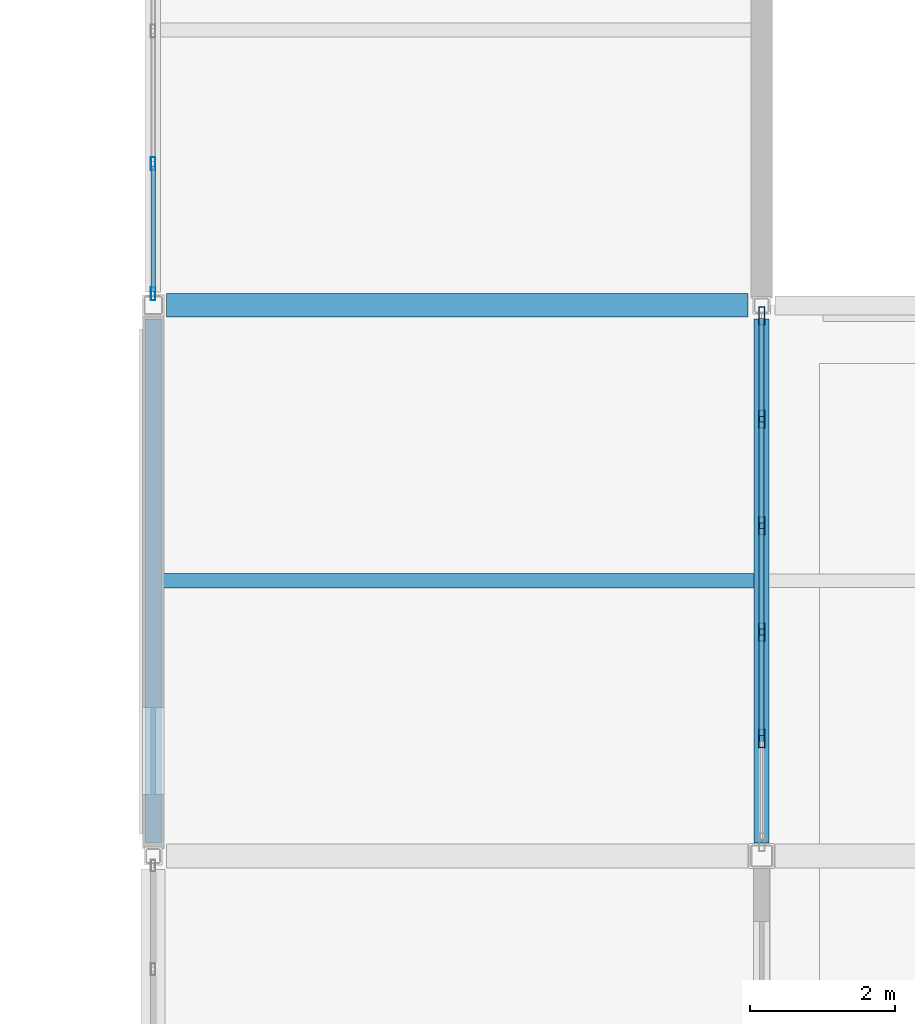
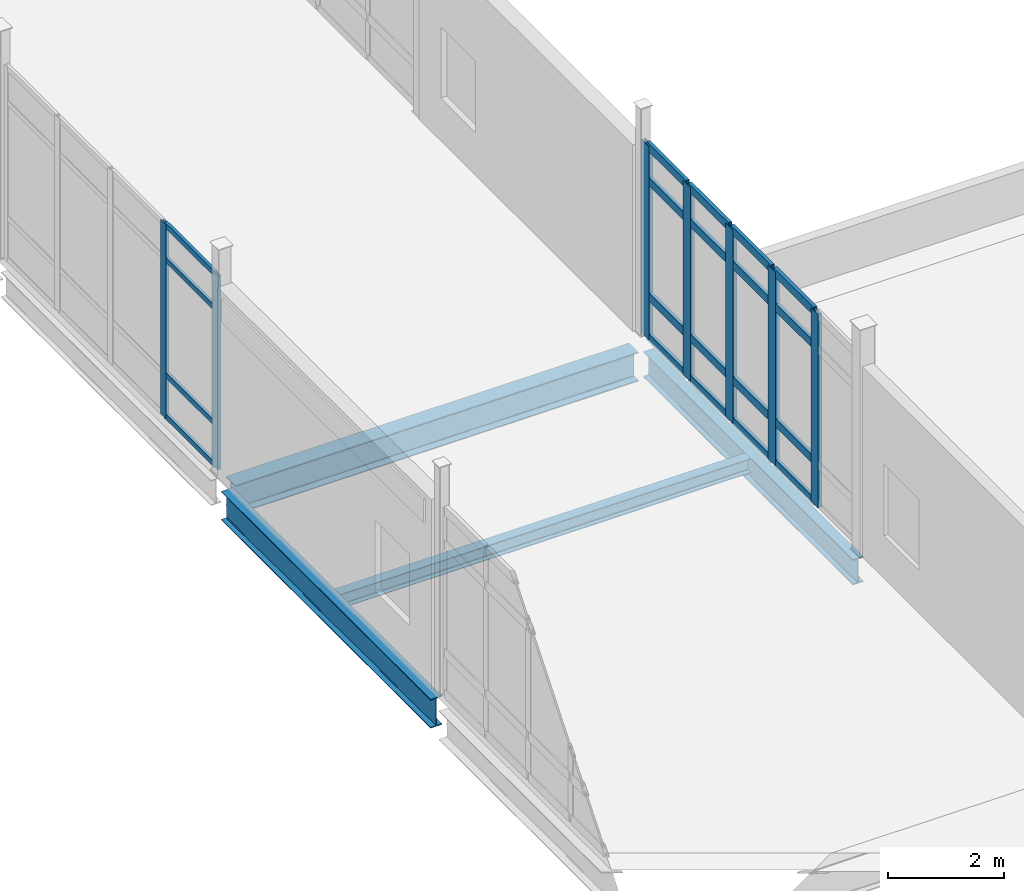
# One storey, part 33 of 153: 27 members, 4 beams, 2 elements without a shape of their own.
"""IFC4 building model written with IfcOpenShell, lengths in metres."""

from ifc_helpers import new_model, si_unit, direction, frame, origin, origin_2d, place, context, subcontext, project, spatial, hollow_rectangle, i_section, extrude, material, layer, layer_set, material_profile, profile_set, type_object, element, aggregate, save


model = new_model("IFC4")

# Units and contexts
model_context = context("Model", 3, precision=1e-05, world=origin(), true_north=direction((0.0, 1.0)))
body_context = subcontext(model_context, "Body", "Model", "MODEL_VIEW")
ifc_project = project(units=[si_unit("LENGTHUNIT", "METRE"), si_unit("AREAUNIT", "SQUARE_METRE"), si_unit("VOLUMEUNIT", "CUBIC_METRE"), si_unit("PLANEANGLEUNIT", "RADIAN"), si_unit("MASSUNIT", "GRAM", prefix="KILO")], contexts=[model_context])

# Site, building, storey
site_placement = place(None, origin())
site = spatial("IfcSite", under=ifc_project, at=site_placement, CompositionType="ELEMENT")
building_placement = place(site_placement, origin())
building = spatial("IfcBuilding", under=site, at=building_placement, Name="Calvrana Isthmian Art Gallery", CompositionType="ELEMENT")
storey_placement = place(building_placement, frame((0.0, 0.0, 10.199951171875)))
storey = spatial("IfcBuildingStorey", under=building, at=storey_placement, Name="L02", CompositionType="ELEMENT", Elevation=10.199951171875)

# Beams
ifc_material_1 = material(Name="Steel ASTM A992 Gr 50", Category="steel")
ifc_material_profile_1 = material_profile(ifc_material_1, i_section(OverallWidth=0.208984375, OverallDepth=0.532958984375, WebThickness=0.01025390625, FlangeThickness=0.015625, FilletRadius=0.02099609375, at=origin_2d()), Name="W21X62")
ifc_profile_set_1 = profile_set([ifc_material_profile_1], Name="Steel ASTM A992 Gr 50")
beam_type_1 = type_object("IfcBeamType", Name="BM-G-W21X62", PredefinedType="BEAM", material=ifc_profile_set_1)
beam_1_placement = place(storey_placement, frame((63.60009765625, 54.58154296875, -0.531494140625), z_axis=(0.0, 1.0, 0.0), x_axis=(-1.0, 0.0, 0.0)))
element("IfcBeam", 1, at=beam_1_placement, inside=storey, type_object=beam_type_1, Name="Girder Y L02 09/H-I", PredefinedType="BEAM", context=body_context, shape_type="SweptSolid", body=[
    extrude(i_section(OverallWidth=0.208984375, OverallDepth=0.532958984375, WebThickness=0.01025390625, FlangeThickness=0.015625, FilletRadius=0.02099609375, at=origin_2d()), origin(), (0.0, 0.0, 1.0), 7.234375),
])
ifc_material_profile_2 = material_profile(ifc_material_1, i_section(OverallWidth=0.324951171875, OverallDepth=0.612060546875, WebThickness=0.0126953125, FlangeThickness=0.01904296875, FilletRadius=0.02197265625, at=origin_2d()), Name="W24X104")
ifc_profile_set_2 = profile_set([ifc_material_profile_2], Name="Steel ASTM A992 Gr 50")
beam_type_2 = type_object("IfcBeamType", Name="BM-G-W24X104", PredefinedType="BEAM", material=ifc_profile_set_2)
beam_2_placement = place(storey_placement, frame((55.386474609375, 62.0, -0.571044921875), z_axis=(1.0, 0.0, 0.0), x_axis=(0.0, 1.0, 0.0)))
element("IfcBeam", 2, at=beam_2_placement, inside=storey, type_object=beam_type_2, Name="Girder X L02 08-09/I", PredefinedType="BEAM", context=body_context, shape_type="SweptSolid", body=[
    extrude(i_section(OverallWidth=0.324951171875, OverallDepth=0.612060546875, WebThickness=0.0126953125, FlangeThickness=0.01904296875, FilletRadius=0.02197265625, at=origin_2d()), origin(), (0.0, 0.0, 1.0), 8.027099609375),
])
ifc_material_profile_3 = material_profile(ifc_material_1, i_section(OverallWidth=0.22802734375, OverallDepth=0.60693359375, WebThickness=0.01123046875, FlangeThickness=0.017333984375, FilletRadius=0.02197265625, at=origin_2d()), Name="W24X76")
ifc_profile_set_3 = profile_set([ifc_material_profile_3], Name="Steel ASTM A992 Gr 50")
beam_type_3 = type_object("IfcBeamType", Name="BM-G-W24X76", PredefinedType="BEAM", material=ifc_profile_set_3)
beam_3_placement = place(storey_placement, frame((55.199951171875, 54.583984375, -0.568359375), z_axis=(0.0, 1.0, 0.0), x_axis=(-1.0, 0.0, 0.0)))
element("IfcBeam", 3, at=beam_3_placement, inside=storey, type_object=beam_type_3, Name="Girder Y L02 08/H-I", PredefinedType="BEAM", context=body_context, shape_type="SweptSolid", body=[
    extrude(i_section(OverallWidth=0.22802734375, OverallDepth=0.60693359375, WebThickness=0.01123046875, FlangeThickness=0.017333984375, FilletRadius=0.02197265625, at=origin_2d()), origin(), (0.0, 0.0, 1.0), 7.2294921875),
])
ifc_material_profile_4 = material_profile(ifc_material_1, i_section(OverallWidth=0.202880859375, OverallDepth=0.302001953125, WebThickness=0.007568359375, FlangeThickness=0.01318359375, FilletRadius=0.01611328125, at=origin_2d()), Name="W12X40")
ifc_profile_set_4 = profile_set([ifc_material_profile_4], Name="Steel ASTM A992 Gr 50")
beam_type_4 = type_object("IfcBeamType", Name="BM-J-W12X40", PredefinedType="JOIST", material=ifc_profile_set_4)
beam_4_placement = place(storey_placement, frame((55.31396484375, 58.199951171875, -0.416015625), z_axis=(1.0, 0.0, 0.0), x_axis=(0.0, 1.0, 0.0)))
element("IfcBeam", 4, at=beam_4_placement, inside=storey, type_object=beam_type_4, Name="Composite joist L02 bay 07-07", PredefinedType="JOIST", context=body_context, shape_type="SweptSolid", body=[
    extrude(i_section(OverallWidth=0.202880859375, OverallDepth=0.302001953125, WebThickness=0.007568359375, FlangeThickness=0.01318359375, FilletRadius=0.01611328125, at=origin_2d()), origin(), (0.0, 0.0, 1.0), 8.181640625),
])

# Curtain wall, members
ifc_material_2 = material(Name="Anodized bronze aluminium 6063-T6", Category="aluminium")
ifc_layer = layer(ifc_material_2, 0.179931640625, Name="Anodized bronze aluminium 6063-T6")
ifc_layer_set = layer_set([ifc_layer], Name="Anodized bronze aluminium 6063-T6")
curtain_wall_type = type_object("IfcCurtainWallType", Name="CW-UNIT-073X41", PredefinedType="USERDEFINED", material=ifc_layer_set)
curtain_wall_1_placement = place(storey_placement, origin())
curtain_wall_1 = element("IfcCurtainWall", 5, at=curtain_wall_1_placement, inside=storey, type_object=curtain_wall_type, Name="Curtain wall CW-170", ObjectType="UNITISED CURTAIN WALL", PredefinedType="USERDEFINED")
ifc_material_profile_5 = material_profile(ifc_material_2, hollow_rectangle(XDim=0.06494140625, YDim=0.179931640625, WallThickness=0.00439453125, at=origin_2d()), Name="CWM65X180")
ifc_profile_set_5 = profile_set([ifc_material_profile_5], Name="Anodized bronze aluminium 6063-T6")
member_type_1 = type_object("IfcMemberType", Name="CWM-CWM65X180", PredefinedType="MULLION", material=ifc_profile_set_5)
member_1_placement = place(storey_placement, frame((55.199951171875, 62.159423828125, 0.0), z_axis=(0.0, 0.0, 1.0), x_axis=(-1.0, 0.0, 0.0)))
member_1 = element("IfcMember", 6, at=member_1_placement, type_object=member_type_1, Name="CW-170 mullion 1", PredefinedType="MULLION", context=body_context, shape_type="SweptSolid", body=[
    extrude(hollow_rectangle(XDim=0.06494140625, YDim=0.179931640625, WallThickness=0.00439453125, at=origin_2d()), origin(), (0.0, 0.0, 1.0), 4.078125),
])
member_2_placement = place(storey_placement, frame((55.199951171875, 63.95703125, 0.0), z_axis=(0.0, 0.0, 1.0), x_axis=(-1.0, 0.0, 0.0)))
member_2 = element("IfcMember", 7, at=member_2_placement, type_object=member_type_1, Name="CW-170 mullion 2", PredefinedType="MULLION", context=body_context, shape_type="SweptSolid", body=[
    extrude(hollow_rectangle(XDim=0.06494140625, YDim=0.179931640625, WallThickness=0.00439453125, at=origin_2d()), origin(), (0.0, 0.0, 1.0), 4.078125),
])

curtain_wall_2_placement = place(storey_placement, origin())
curtain_wall_2 = element("IfcCurtainWall", 8, at=curtain_wall_2_placement, inside=storey, type_object=curtain_wall_type, Name="Curtain wall CW-173", ObjectType="UNITISED CURTAIN WALL", PredefinedType="USERDEFINED")
ifc_material_profile_6 = material_profile(ifc_material_2, hollow_rectangle(XDim=0.080078125, YDim=0.25, WallThickness=0.005615234375, at=origin_2d()), Name="CWM80X250")
ifc_profile_set_6 = profile_set([ifc_material_profile_6], Name="Anodized bronze aluminium 6063-T6")
member_type_2 = type_object("IfcMemberType", Name="CWM-CWM80X250", PredefinedType="MULLION", material=ifc_profile_set_6)
member_3_placement = place(storey_placement, frame((63.60009765625, 61.8583984375, 0.0), z_axis=(0.0, 0.0, 1.0), x_axis=(1.0, 0.0, 0.0)))
member_3 = element("IfcMember", 9, at=member_3_placement, type_object=member_type_2, Name="CW-173 mullion 1", PredefinedType="MULLION", context=body_context, shape_type="SweptSolid", body=[
    extrude(hollow_rectangle(XDim=0.080078125, YDim=0.25, WallThickness=0.005615234375, at=origin_2d()), origin(), (0.0, 0.0, 1.0), 4.078125),
])
member_4_placement = place(storey_placement, frame((63.60009765625, 60.42919921875, 0.0), z_axis=(0.0, 0.0, 1.0), x_axis=(1.0, 0.0, 0.0)))
member_4 = element("IfcMember", 10, at=member_4_placement, type_object=member_type_2, Name="CW-173 mullion 2", PredefinedType="MULLION", context=body_context, shape_type="SweptSolid", body=[
    extrude(hollow_rectangle(XDim=0.080078125, YDim=0.25, WallThickness=0.005615234375, at=origin_2d()), origin(), (0.0, 0.0, 1.0), 4.078125),
])
member_5_placement = place(storey_placement, frame((63.60009765625, 58.9599609375, 0.0), z_axis=(0.0, 0.0, 1.0), x_axis=(1.0, 0.0, 0.0)))
member_5 = element("IfcMember", 11, at=member_5_placement, type_object=member_type_2, Name="CW-173 mullion 3", PredefinedType="MULLION", context=body_context, shape_type="SweptSolid", body=[
    extrude(hollow_rectangle(XDim=0.080078125, YDim=0.25, WallThickness=0.005615234375, at=origin_2d()), origin(), (0.0, 0.0, 1.0), 4.078125),
])
member_6_placement = place(storey_placement, frame((63.60009765625, 57.49072265625, 0.0), z_axis=(0.0, 0.0, 1.0), x_axis=(1.0, 0.0, 0.0)))
member_6 = element("IfcMember", 12, at=member_6_placement, type_object=member_type_2, Name="CW-173 mullion 4", PredefinedType="MULLION", context=body_context, shape_type="SweptSolid", body=[
    extrude(hollow_rectangle(XDim=0.080078125, YDim=0.25, WallThickness=0.005615234375, at=origin_2d()), origin(), (0.0, 0.0, 1.0), 4.078125),
])
member_7_placement = place(storey_placement, frame((63.60009765625, 56.021484375, 0.0), z_axis=(0.0, 0.0, 1.0), x_axis=(1.0, 0.0, 0.0)))
member_7 = element("IfcMember", 13, at=member_7_placement, type_object=member_type_2, Name="CW-173 mullion 5", PredefinedType="MULLION", context=body_context, shape_type="SweptSolid", body=[
    extrude(hollow_rectangle(XDim=0.080078125, YDim=0.25, WallThickness=0.005615234375, at=origin_2d()), origin(), (0.0, 0.0, 1.0), 4.078125),
])

# Member
ifc_material_profile_7 = material_profile(ifc_material_2, hollow_rectangle(XDim=0.06005859375, YDim=0.110107421875, WallThickness=0.00341796875, at=origin_2d()), Name="CWT60X110")
ifc_profile_set_7 = profile_set([ifc_material_profile_7], Name="Anodized bronze aluminium 6063-T6")
member_type_3 = type_object("IfcMemberType", Name="CWT-CWT60X110", PredefinedType="USERDEFINED", material=ifc_profile_set_7)
member_8_placement = place(storey_placement, frame((55.199951171875, 62.19189453125, 0.030029296875), z_axis=(0.0, 1.0, 0.0), x_axis=(-1.0, 0.0, 0.0)))
member_8 = element("IfcMember", 14, at=member_8_placement, type_object=member_type_3, Name="CW-170 transom 1.1", ObjectType="TRANSOM", PredefinedType="USERDEFINED", context=body_context, shape_type="SweptSolid", body=[
    extrude(hollow_rectangle(XDim=0.06005859375, YDim=0.110107421875, WallThickness=0.00341796875, at=origin_2d()), origin(), (0.0, 0.0, 1.0), 1.732666015625),
])

member_9_placement = place(storey_placement, frame((55.199951171875, 62.19189453125, 0.900146484375), z_axis=(0.0, 1.0, 0.0), x_axis=(-1.0, 0.0, 0.0)))
member_9 = element("IfcMember", 15, at=member_9_placement, type_object=member_type_3, Name="CW-170 transom 1.2", ObjectType="TRANSOM", PredefinedType="USERDEFINED", context=body_context, shape_type="SweptSolid", body=[
    extrude(hollow_rectangle(XDim=0.06005859375, YDim=0.110107421875, WallThickness=0.00341796875, at=origin_2d()), origin(), (0.0, 0.0, 1.0), 1.732666015625),
])

member_10_placement = place(storey_placement, frame((55.199951171875, 62.19189453125, 3.328125), z_axis=(0.0, 1.0, 0.0), x_axis=(-1.0, 0.0, 0.0)))
member_10 = element("IfcMember", 16, at=member_10_placement, type_object=member_type_3, Name="CW-170 transom 1.3", ObjectType="TRANSOM", PredefinedType="USERDEFINED", context=body_context, shape_type="SweptSolid", body=[
    extrude(hollow_rectangle(XDim=0.06005859375, YDim=0.110107421875, WallThickness=0.00341796875, at=origin_2d()), origin(), (0.0, 0.0, 1.0), 1.732666015625),
])

member_11_placement = place(storey_placement, frame((55.199951171875, 62.19189453125, 4.048095703125), z_axis=(0.0, 1.0, 0.0), x_axis=(-1.0, 0.0, 0.0)))
member_11 = element("IfcMember", 17, at=member_11_placement, type_object=member_type_3, Name="CW-170 transom 1.4", ObjectType="TRANSOM", PredefinedType="USERDEFINED", context=body_context, shape_type="SweptSolid", body=[
    extrude(hollow_rectangle(XDim=0.06005859375, YDim=0.110107421875, WallThickness=0.00341796875, at=origin_2d()), origin(), (0.0, 0.0, 1.0), 1.732666015625),
])

aggregate(curtain_wall_1, [member_1, member_2, member_8, member_9, member_10, member_11])

ifc_material_profile_8 = material_profile(ifc_material_2, hollow_rectangle(XDim=0.070068359375, YDim=0.169921875, WallThickness=0.00439453125, at=origin_2d()), Name="CWT70X170")
ifc_profile_set_8 = profile_set([ifc_material_profile_8], Name="Anodized bronze aluminium 6063-T6")
member_type_4 = type_object("IfcMemberType", Name="CWT-CWT70X170", PredefinedType="USERDEFINED", material=ifc_profile_set_8)
member_12_placement = place(storey_placement, frame((63.60009765625, 61.818359375, 0.03515625), z_axis=(0.0, -1.0, 0.0), x_axis=(1.0, 0.0, 0.0)))
member_12 = element("IfcMember", 18, at=member_12_placement, type_object=member_type_4, Name="CW-173 transom 1.1", ObjectType="TRANSOM", PredefinedType="USERDEFINED", context=body_context, shape_type="SweptSolid", body=[
    extrude(hollow_rectangle(XDim=0.070068359375, YDim=0.169921875, WallThickness=0.00439453125, at=origin_2d()), origin(), (0.0, 0.0, 1.0), 1.34912109375),
])

member_13_placement = place(storey_placement, frame((63.60009765625, 61.818359375, 0.900146484375), z_axis=(0.0, -1.0, 0.0), x_axis=(1.0, 0.0, 0.0)))
member_13 = element("IfcMember", 19, at=member_13_placement, type_object=member_type_4, Name="CW-173 transom 1.2", ObjectType="TRANSOM", PredefinedType="USERDEFINED", context=body_context, shape_type="SweptSolid", body=[
    extrude(hollow_rectangle(XDim=0.070068359375, YDim=0.169921875, WallThickness=0.00439453125, at=origin_2d()), origin(), (0.0, 0.0, 1.0), 1.34912109375),
])

member_14_placement = place(storey_placement, frame((63.60009765625, 61.818359375, 3.328125), z_axis=(0.0, -1.0, 0.0), x_axis=(1.0, 0.0, 0.0)))
member_14 = element("IfcMember", 20, at=member_14_placement, type_object=member_type_4, Name="CW-173 transom 1.3", ObjectType="TRANSOM", PredefinedType="USERDEFINED", context=body_context, shape_type="SweptSolid", body=[
    extrude(hollow_rectangle(XDim=0.070068359375, YDim=0.169921875, WallThickness=0.00439453125, at=origin_2d()), origin(), (0.0, 0.0, 1.0), 1.34912109375),
])

member_15_placement = place(storey_placement, frame((63.60009765625, 61.818359375, 4.04296875), z_axis=(0.0, -1.0, 0.0), x_axis=(1.0, 0.0, 0.0)))
member_15 = element("IfcMember", 21, at=member_15_placement, type_object=member_type_4, Name="CW-173 transom 1.4", ObjectType="TRANSOM", PredefinedType="USERDEFINED", context=body_context, shape_type="SweptSolid", body=[
    extrude(hollow_rectangle(XDim=0.070068359375, YDim=0.169921875, WallThickness=0.00439453125, at=origin_2d()), origin(), (0.0, 0.0, 1.0), 1.34912109375),
])

member_16_placement = place(storey_placement, frame((63.60009765625, 60.38916015625, 0.03515625), z_axis=(0.0, -1.0, 0.0), x_axis=(1.0, 0.0, 0.0)))
member_16 = element("IfcMember", 22, at=member_16_placement, type_object=member_type_4, Name="CW-173 transom 2.1", ObjectType="TRANSOM", PredefinedType="USERDEFINED", context=body_context, shape_type="SweptSolid", body=[
    extrude(hollow_rectangle(XDim=0.070068359375, YDim=0.169921875, WallThickness=0.00439453125, at=origin_2d()), origin(), (0.0, 0.0, 1.0), 1.38916015625),
])

member_17_placement = place(storey_placement, frame((63.60009765625, 60.38916015625, 0.900146484375), z_axis=(0.0, -1.0, 0.0), x_axis=(1.0, 0.0, 0.0)))
member_17 = element("IfcMember", 23, at=member_17_placement, type_object=member_type_4, Name="CW-173 transom 2.2", ObjectType="TRANSOM", PredefinedType="USERDEFINED", context=body_context, shape_type="SweptSolid", body=[
    extrude(hollow_rectangle(XDim=0.070068359375, YDim=0.169921875, WallThickness=0.00439453125, at=origin_2d()), origin(), (0.0, 0.0, 1.0), 1.38916015625),
])

member_18_placement = place(storey_placement, frame((63.60009765625, 60.38916015625, 3.328125), z_axis=(0.0, -1.0, 0.0), x_axis=(1.0, 0.0, 0.0)))
member_18 = element("IfcMember", 24, at=member_18_placement, type_object=member_type_4, Name="CW-173 transom 2.3", ObjectType="TRANSOM", PredefinedType="USERDEFINED", context=body_context, shape_type="SweptSolid", body=[
    extrude(hollow_rectangle(XDim=0.070068359375, YDim=0.169921875, WallThickness=0.00439453125, at=origin_2d()), origin(), (0.0, 0.0, 1.0), 1.38916015625),
])

member_19_placement = place(storey_placement, frame((63.60009765625, 60.38916015625, 4.04296875), z_axis=(0.0, -1.0, 0.0), x_axis=(1.0, 0.0, 0.0)))
member_19 = element("IfcMember", 25, at=member_19_placement, type_object=member_type_4, Name="CW-173 transom 2.4", ObjectType="TRANSOM", PredefinedType="USERDEFINED", context=body_context, shape_type="SweptSolid", body=[
    extrude(hollow_rectangle(XDim=0.070068359375, YDim=0.169921875, WallThickness=0.00439453125, at=origin_2d()), origin(), (0.0, 0.0, 1.0), 1.38916015625),
])

member_20_placement = place(storey_placement, frame((63.60009765625, 58.919921875, 0.03515625), z_axis=(0.0, -1.0, 0.0), x_axis=(1.0, 0.0, 0.0)))
member_20 = element("IfcMember", 26, at=member_20_placement, type_object=member_type_4, Name="CW-173 transom 3.1", ObjectType="TRANSOM", PredefinedType="USERDEFINED", context=body_context, shape_type="SweptSolid", body=[
    extrude(hollow_rectangle(XDim=0.070068359375, YDim=0.169921875, WallThickness=0.00439453125, at=origin_2d()), origin(), (0.0, 0.0, 1.0), 1.38916015625),
])

member_21_placement = place(storey_placement, frame((63.60009765625, 58.919921875, 0.900146484375), z_axis=(0.0, -1.0, 0.0), x_axis=(1.0, 0.0, 0.0)))
member_21 = element("IfcMember", 27, at=member_21_placement, type_object=member_type_4, Name="CW-173 transom 3.2", ObjectType="TRANSOM", PredefinedType="USERDEFINED", context=body_context, shape_type="SweptSolid", body=[
    extrude(hollow_rectangle(XDim=0.070068359375, YDim=0.169921875, WallThickness=0.00439453125, at=origin_2d()), origin(), (0.0, 0.0, 1.0), 1.38916015625),
])

member_22_placement = place(storey_placement, frame((63.60009765625, 58.919921875, 3.328125), z_axis=(0.0, -1.0, 0.0), x_axis=(1.0, 0.0, 0.0)))
member_22 = element("IfcMember", 28, at=member_22_placement, type_object=member_type_4, Name="CW-173 transom 3.3", ObjectType="TRANSOM", PredefinedType="USERDEFINED", context=body_context, shape_type="SweptSolid", body=[
    extrude(hollow_rectangle(XDim=0.070068359375, YDim=0.169921875, WallThickness=0.00439453125, at=origin_2d()), origin(), (0.0, 0.0, 1.0), 1.38916015625),
])

member_23_placement = place(storey_placement, frame((63.60009765625, 58.919921875, 4.04296875), z_axis=(0.0, -1.0, 0.0), x_axis=(1.0, 0.0, 0.0)))
member_23 = element("IfcMember", 29, at=member_23_placement, type_object=member_type_4, Name="CW-173 transom 3.4", ObjectType="TRANSOM", PredefinedType="USERDEFINED", context=body_context, shape_type="SweptSolid", body=[
    extrude(hollow_rectangle(XDim=0.070068359375, YDim=0.169921875, WallThickness=0.00439453125, at=origin_2d()), origin(), (0.0, 0.0, 1.0), 1.38916015625),
])

member_24_placement = place(storey_placement, frame((63.60009765625, 57.45068359375, 0.03515625), z_axis=(0.0, -1.0, 0.0), x_axis=(1.0, 0.0, 0.0)))
member_24 = element("IfcMember", 30, at=member_24_placement, type_object=member_type_4, Name="CW-173 transom 4.1", ObjectType="TRANSOM", PredefinedType="USERDEFINED", context=body_context, shape_type="SweptSolid", body=[
    extrude(hollow_rectangle(XDim=0.070068359375, YDim=0.169921875, WallThickness=0.00439453125, at=origin_2d()), origin(), (0.0, 0.0, 1.0), 1.38916015625),
])

member_25_placement = place(storey_placement, frame((63.60009765625, 57.45068359375, 0.900146484375), z_axis=(0.0, -1.0, 0.0), x_axis=(1.0, 0.0, 0.0)))
member_25 = element("IfcMember", 31, at=member_25_placement, type_object=member_type_4, Name="CW-173 transom 4.2", ObjectType="TRANSOM", PredefinedType="USERDEFINED", context=body_context, shape_type="SweptSolid", body=[
    extrude(hollow_rectangle(XDim=0.070068359375, YDim=0.169921875, WallThickness=0.00439453125, at=origin_2d()), origin(), (0.0, 0.0, 1.0), 1.38916015625),
])

member_26_placement = place(storey_placement, frame((63.60009765625, 57.45068359375, 3.328125), z_axis=(0.0, -1.0, 0.0), x_axis=(1.0, 0.0, 0.0)))
member_26 = element("IfcMember", 32, at=member_26_placement, type_object=member_type_4, Name="CW-173 transom 4.3", ObjectType="TRANSOM", PredefinedType="USERDEFINED", context=body_context, shape_type="SweptSolid", body=[
    extrude(hollow_rectangle(XDim=0.070068359375, YDim=0.169921875, WallThickness=0.00439453125, at=origin_2d()), origin(), (0.0, 0.0, 1.0), 1.38916015625),
])

member_27_placement = place(storey_placement, frame((63.60009765625, 57.45068359375, 4.04296875), z_axis=(0.0, -1.0, 0.0), x_axis=(1.0, 0.0, 0.0)))
member_27 = element("IfcMember", 33, at=member_27_placement, type_object=member_type_4, Name="CW-173 transom 4.4", ObjectType="TRANSOM", PredefinedType="USERDEFINED", context=body_context, shape_type="SweptSolid", body=[
    extrude(hollow_rectangle(XDim=0.070068359375, YDim=0.169921875, WallThickness=0.00439453125, at=origin_2d()), origin(), (0.0, 0.0, 1.0), 1.38916015625),
])

aggregate(curtain_wall_2, [member_3, member_4, member_5, member_6, member_7, member_12, member_13, member_14, member_15, member_16, member_17, member_18, member_19, member_20, member_21, member_22, member_23, member_24, member_25, member_26, member_27])

save(model, "model.ifc")
